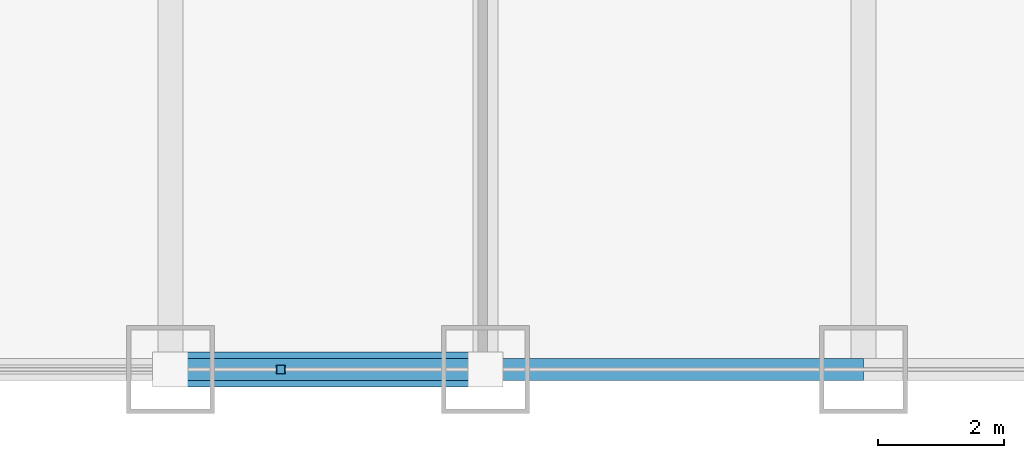
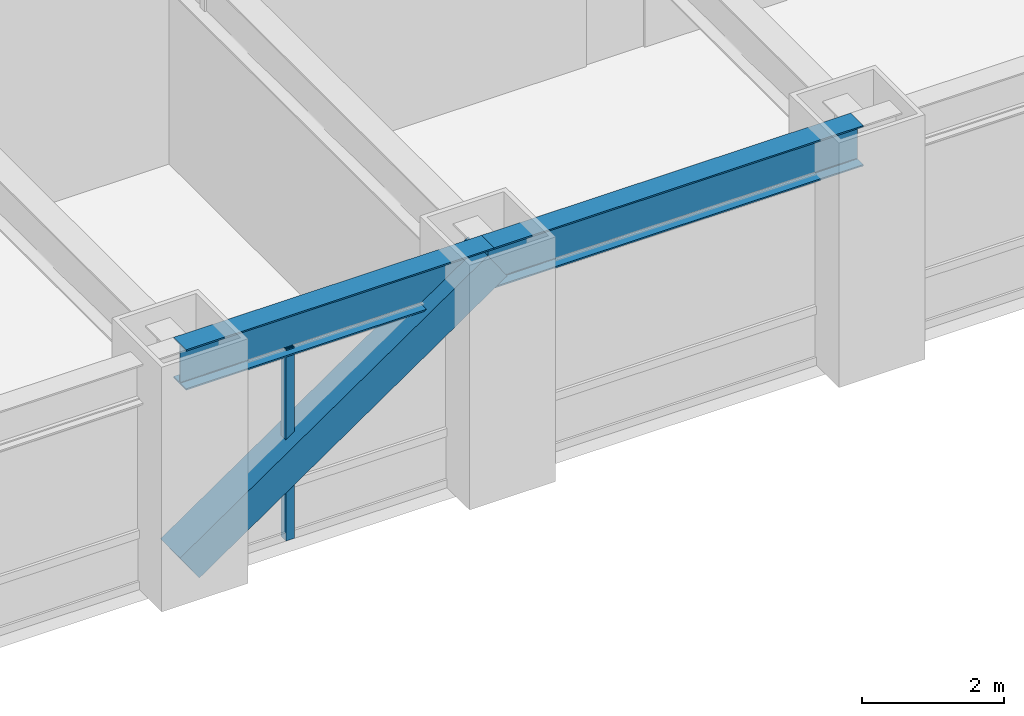
# One storey, part 4 of 28: 2 beams, 2 members, 1 element without a shape of its own.
"""IFC4 building model written with IfcOpenShell, lengths in metres."""

from ifc_helpers import new_model, si_unit, direction, frame, origin, origin_2d, place, context, subcontext, project, spatial, hollow_rectangle, i_section, extrude, source, transform, mapped, material, material_profile, profile_set, type_object, element, aggregate, save


model = new_model("IFC4")

# Units and contexts
model_context = context("Model", 3, precision=1e-05, world=origin(), true_north=direction((0.0, 1.0)))
body_context = subcontext(model_context, "Body", "Model", "MODEL_VIEW")
ifc_project = project(units=[si_unit("LENGTHUNIT", "METRE"), si_unit("AREAUNIT", "SQUARE_METRE"), si_unit("VOLUMEUNIT", "CUBIC_METRE"), si_unit("PLANEANGLEUNIT", "RADIAN"), si_unit("MASSUNIT", "GRAM", prefix="KILO")], contexts=[model_context])

# Site, building, storey
site_placement = place(None, origin())
site = spatial("IfcSite", under=ifc_project, at=site_placement, CompositionType="ELEMENT")
building_placement = place(site_placement, origin())
building = spatial("IfcBuilding", under=site, at=building_placement, Name="Khorayat Bourse Tower", CompositionType="ELEMENT")
storey_placement = place(building_placement, frame((0.0, 0.0, 62.0)))
storey = spatial("IfcBuildingStorey", under=building, at=storey_placement, Name="L13", CompositionType="ELEMENT", Elevation=62.0)

# Beams
ifc_material_1 = material(Name="Steel ASTM A992 Grade 50", Category="steel")
ifc_material_profile_1 = material_profile(ifc_material_1, i_section(OverallWidth=0.35498046875, OverallDepth=0.695068359375, WebThickness=0.015380859375, FlangeThickness=0.02490234375, FilletRadius=0.01806640625, at=origin_2d()), Name="W690X217")
ifc_profile_set_1 = profile_set([ifc_material_profile_1], Name="Steel ASTM A992 Grade 50")
beam_type = type_object("IfcBeamType", Name="BM-SPAN-690", PredefinedType="SPANDREL", material=ifc_profile_set_1)
shared_shape_1 = source(origin(), body_context, "Body", "SweptSolid", [
    extrude(i_section(OverallWidth=0.35498046875, OverallDepth=0.695068359375, WebThickness=0.015380859375, FlangeThickness=0.02490234375, FilletRadius=0.01806640625, at=origin_2d()), origin(), (0.0, 0.0, 1.0), 5.0),
])
beam_1_placement = place(storey_placement, frame((-11.0, -32.0, 3.592529296875), z_axis=(1.0, 0.0, 0.0), x_axis=(0.0, 1.0, 0.0)))
element("IfcBeam", 1, at=beam_1_placement, inside=storey, type_object=beam_type, Name="L13 BM-SPAN-690 BM-L13-SPN-026", PredefinedType="SPANDREL", context=body_context, shape_type="MappedRepresentation", body=[
    mapped(shared_shape_1, transform((0.0, 0.0, 0.0), scale=1.0)),
])
shared_shape_2 = source(origin(), body_context, "Body", "SweptSolid", [
    extrude(i_section(OverallWidth=0.35498046875, OverallDepth=0.695068359375, WebThickness=0.015380859375, FlangeThickness=0.02490234375, FilletRadius=0.01806640625, at=origin_2d()), origin(), (0.0, 0.0, 1.0), 6.0),
])
beam_2_placement = place(storey_placement, frame((-6.0, -32.0, 3.592529296875), z_axis=(1.0, 0.0, 0.0), x_axis=(0.0, 1.0, 0.0)))
element("IfcBeam", 2, at=beam_2_placement, inside=storey, type_object=beam_type, Name="L13 BM-SPAN-690 BM-L13-SPN-027", PredefinedType="SPANDREL", context=body_context, shape_type="MappedRepresentation", body=[
    mapped(shared_shape_2, transform((0.0, 0.0, 0.0), scale=1.0)),
])

# Member
ifc_material_2 = material(Name="Steel EN 10025-4 S460M", Category="steel")
ifc_material_profile_2 = material_profile(ifc_material_2, hollow_rectangle(XDim=0.550048828125, YDim=0.550048828125, WallThickness=0.031982421875, at=origin_2d()), Name="HSS 550x550x32")
ifc_profile_set_2 = profile_set([ifc_material_profile_2], Name="Steel EN 10025-4 S460M")
member_type_1 = type_object("IfcMemberType", Name="MBR-TUBE-550", PredefinedType="BRACE", material=ifc_profile_set_2)
shared_shape_3 = source(origin(), body_context, "Body", "SweptSolid", [
    extrude(hollow_rectangle(XDim=0.550048828125, YDim=0.550048828125, WallThickness=0.031982421875, at=origin_2d()), origin(), (0.0, 0.0, 1.0), 6.069091796875),
])
member_1_placement = place(storey_placement, frame((-11.0, -32.0, 0.25), z_axis=(0.823854080622, 0.0, 0.566801952928), x_axis=(0.0, 1.0, 0.0)))
element("IfcMember", 3, at=member_1_placement, inside=storey, type_object=member_type_1, Name="L13 Perimeter Tube Brace 01", PredefinedType="BRACE", context=body_context, shape_type="MappedRepresentation", body=[
    mapped(shared_shape_3, transform((0.0, 0.0, 0.0), scale=1.0)),
])

# Curtain wall, member
ifc_material_3 = material(Name="Aluminium EN AW-6063 T6", Category="aluminium")
curtain_wall_type = type_object("IfcCurtainWallType", Name="CW-SYS-02", PredefinedType="NOTDEFINED", material=ifc_material_3)
curtain_wall_placement = place(storey_placement, origin())
curtain_wall = element("IfcCurtainWall", 4, at=curtain_wall_placement, inside=storey, type_object=curtain_wall_type, Name="L13 Curtain Wall CW-L13-S1", PredefinedType="NOTDEFINED")
ifc_material_profile_3 = material_profile(ifc_material_3, hollow_rectangle(XDim=0.139892578125, YDim=0.139892578125, WallThickness=0.006103515625, at=origin_2d()), Name="ALU 140x140x6")
ifc_profile_set_3 = profile_set([ifc_material_profile_3], Name="Aluminium EN AW-6063 T6")
member_type_2 = type_object("IfcMemberType", Name="CWM-VERT-140", PredefinedType="MULLION", material=ifc_profile_set_3)
shared_shape_4 = source(origin(), body_context, "Body", "SweptSolid", [
    extrude(hollow_rectangle(XDim=0.139892578125, YDim=0.139892578125, WallThickness=0.006103515625, at=origin_2d()), origin(), (0.0, 0.0, 1.0), 3.2900390625),
])
member_2_placement = place(storey_placement, frame((-9.25, -32.0, 0.0), z_axis=(0.0, 0.0, 1.0), x_axis=(0.0, 1.0, 0.0)))
member_2 = element("IfcMember", 5, at=member_2_placement, type_object=member_type_2, Name="CW-L13-S1 Vertical Mullion 2", PredefinedType="MULLION", context=body_context, shape_type="MappedRepresentation", body=[
    mapped(shared_shape_4, transform((0.0, 0.0, 0.0), scale=1.0)),
])
aggregate(curtain_wall, [member_2])

save(model, "model.ifc")
